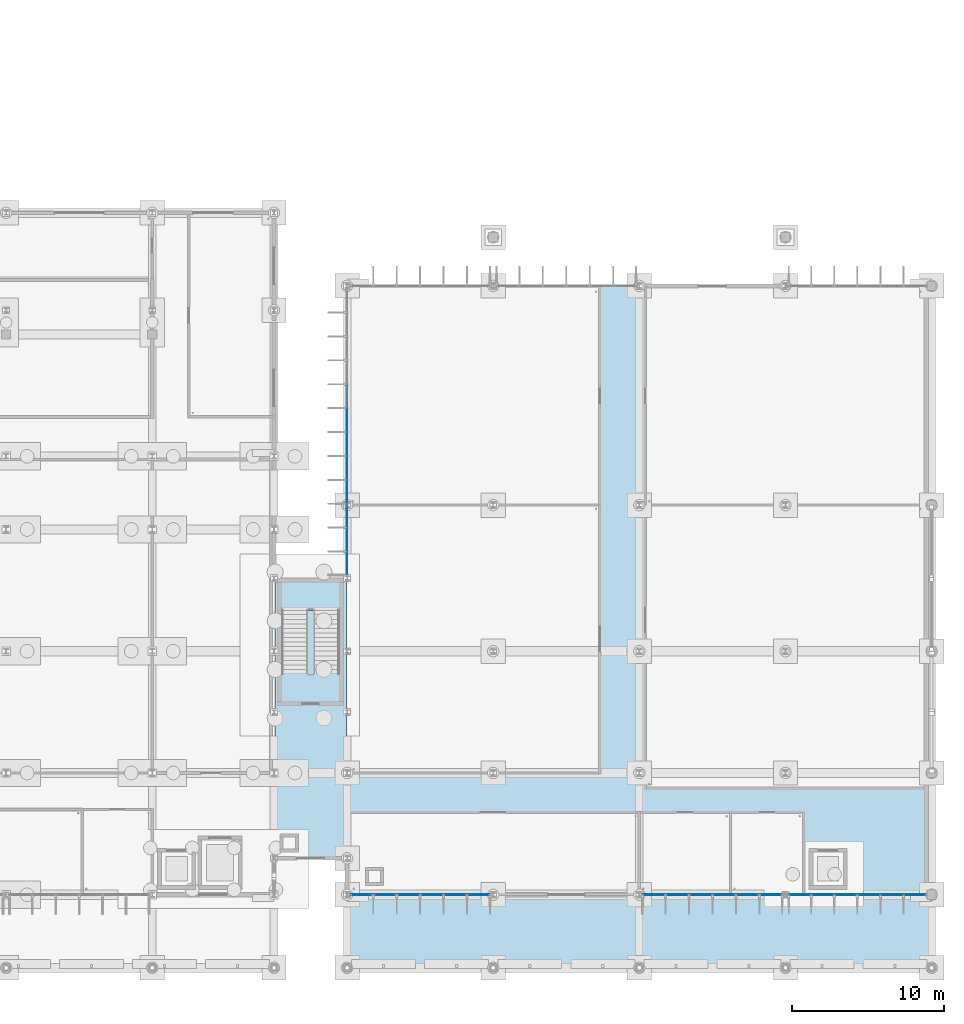
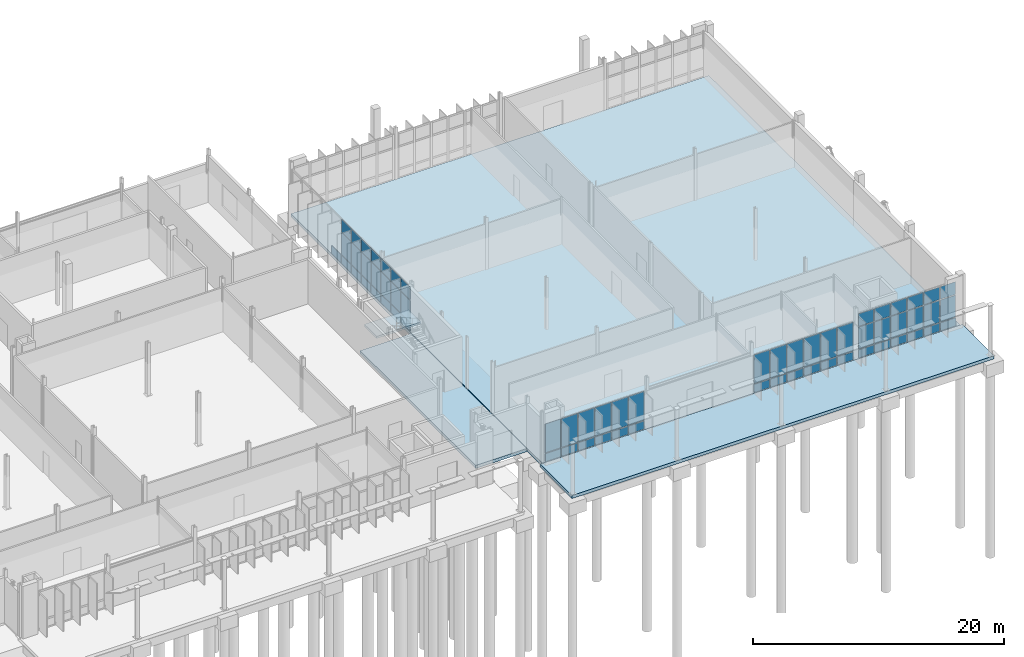
# One storey, part 49 of 111: 64 plates, 4 slabs, 5 elements without a shape of their own.
"""IFC4 building model written with IfcOpenShell, lengths in metres."""

from ifc_helpers import new_model, si_unit, direction, frame, origin, origin_2d, place, context, subcontext, project, spatial, polyline, rectangle, outline, extrude, material, layer, layer_set, type_object, element, aggregate, save


model = new_model("IFC4")

# Units and contexts
model_context = context("Model", 3, precision=1e-05, world=origin(), true_north=direction((0.0, 1.0)))
body_context = subcontext(model_context, "Body", "Model", "MODEL_VIEW")
ifc_project = project(units=[si_unit("LENGTHUNIT", "METRE"), si_unit("AREAUNIT", "SQUARE_METRE"), si_unit("VOLUMEUNIT", "CUBIC_METRE"), si_unit("PLANEANGLEUNIT", "RADIAN"), si_unit("MASSUNIT", "GRAM", prefix="KILO")], contexts=[model_context])

# Site, building, storey
site_placement = place(None, origin())
site = spatial("IfcSite", under=ifc_project, at=site_placement, CompositionType="ELEMENT")
building_placement = place(site_placement, origin())
building = spatial("IfcBuilding", under=site, at=building_placement, Name="Dunescarp Central Library", CompositionType="ELEMENT")
storey_placement = place(building_placement, origin())
storey = spatial("IfcBuildingStorey", under=building, at=storey_placement, Name="L00", CompositionType="ELEMENT", Elevation=0.0)

# Curtain wall, plates
ifc_material_1 = material(Name="Marine-grade anodised aluminium 6063-T6", Category="aluminium")
curtain_wall_type = type_object("IfcCurtainWallType", Name="ARC-CW-STICK", PredefinedType="NOTDEFINED", material=ifc_material_1)
curtain_wall_1_placement = place(storey_placement, origin())
curtain_wall_1 = element("IfcCurtainWall", 1, at=curtain_wall_1_placement, inside=storey, type_object=curtain_wall_type, Name="L00 curtain wall CW-V5-146", PredefinedType="NOTDEFINED")
ifc_material_2 = material(Name="Solar-control laminated double glazing", Category="glass")
ifc_layer_1 = layer(ifc_material_2, 0.028076171875)
ifc_layer_set_1 = layer_set([ifc_layer_1], Name="Solar-control laminated double glazing")
plate_type_1 = type_object("IfcPlateType", Name="ARC-PLT-GLZ28", PredefinedType="CURTAIN_PANEL", material=ifc_layer_set_1)
plate_1_placement = place(storey_placement, frame((138.234130859375, 4.800048828125, 0.93994140625), z_axis=(0.0, 0.0, 1.0), x_axis=(-1.0, 0.0, 0.0)))
plate_1 = element("IfcPlate", 2, at=plate_1_placement, type_object=plate_type_1, Name="CW-V5-146 panel 1.2", PredefinedType="CURTAIN_PANEL", context=body_context, shape_type="SweptSolid", body=[
    extrude(rectangle(XDim=1.421630859375, YDim=0.028076171875, at=origin_2d()), origin(), (0.0, 0.0, 1.0), 2.784912109375),
])
plate_2_placement = place(storey_placement, frame((136.71240234375, 4.800048828125, 0.93994140625), z_axis=(0.0, 0.0, 1.0), x_axis=(-1.0, 0.0, 0.0)))
plate_2 = element("IfcPlate", 3, at=plate_2_placement, type_object=plate_type_1, Name="CW-V5-146 panel 2.2", PredefinedType="CURTAIN_PANEL", context=body_context, shape_type="SweptSolid", body=[
    extrude(rectangle(XDim=1.461669921875, YDim=0.028076171875, at=origin_2d()), origin(), (0.0, 0.0, 1.0), 2.784912109375),
])
plate_3_placement = place(storey_placement, frame((135.1708984375, 4.800048828125, 0.93994140625), z_axis=(0.0, 0.0, 1.0), x_axis=(-1.0, 0.0, 0.0)))
plate_3 = element("IfcPlate", 4, at=plate_3_placement, type_object=plate_type_1, Name="CW-V5-146 panel 3.2", PredefinedType="CURTAIN_PANEL", context=body_context, shape_type="SweptSolid", body=[
    extrude(rectangle(XDim=1.461669921875, YDim=0.028076171875, at=origin_2d()), origin(), (0.0, 0.0, 1.0), 2.784912109375),
])
plate_4_placement = place(storey_placement, frame((133.629150390625, 4.800048828125, 0.93994140625), z_axis=(0.0, 0.0, 1.0), x_axis=(-1.0, 0.0, 0.0)))
plate_4 = element("IfcPlate", 5, at=plate_4_placement, type_object=plate_type_1, Name="CW-V5-146 panel 4.2", PredefinedType="CURTAIN_PANEL", context=body_context, shape_type="SweptSolid", body=[
    extrude(rectangle(XDim=1.461669921875, YDim=0.028076171875, at=origin_2d()), origin(), (0.0, 0.0, 1.0), 2.784912109375),
])
plate_5_placement = place(storey_placement, frame((132.08740234375, 4.800048828125, 0.93994140625), z_axis=(0.0, 0.0, 1.0), x_axis=(-1.0, 0.0, 0.0)))
plate_5 = element("IfcPlate", 6, at=plate_5_placement, type_object=plate_type_1, Name="CW-V5-146 panel 5.2", PredefinedType="CURTAIN_PANEL", context=body_context, shape_type="SweptSolid", body=[
    extrude(rectangle(XDim=1.461669921875, YDim=0.028076171875, at=origin_2d()), origin(), (0.0, 0.0, 1.0), 2.784912109375),
])
plate_6_placement = place(storey_placement, frame((130.56591796875, 4.800048828125, 0.93994140625), z_axis=(0.0, 0.0, 1.0), x_axis=(-1.0, 0.0, 0.0)))
plate_6 = element("IfcPlate", 7, at=plate_6_placement, type_object=plate_type_1, Name="CW-V5-146 panel 6.2", PredefinedType="CURTAIN_PANEL", context=body_context, shape_type="SweptSolid", body=[
    extrude(rectangle(XDim=1.421630859375, YDim=0.028076171875, at=origin_2d()), origin(), (0.0, 0.0, 1.0), 2.784912109375),
])

curtain_wall_2_placement = place(storey_placement, origin())
curtain_wall_2 = element("IfcCurtainWall", 8, at=curtain_wall_2_placement, inside=storey, type_object=curtain_wall_type, Name="L00 curtain wall CW-V5-147", PredefinedType="NOTDEFINED")
plate_7_placement = place(storey_placement, frame((157.43408203125, 4.800048828125, 0.93994140625), z_axis=(0.0, 0.0, 1.0), x_axis=(-1.0, 0.0, 0.0)))
plate_7 = element("IfcPlate", 9, at=plate_7_placement, type_object=plate_type_1, Name="CW-V5-147 panel 1.2", PredefinedType="CURTAIN_PANEL", context=body_context, shape_type="SweptSolid", body=[
    extrude(rectangle(XDim=1.421630859375, YDim=0.028076171875, at=origin_2d()), origin(), (0.0, 0.0, 1.0), 2.784912109375),
])
plate_8_placement = place(storey_placement, frame((155.91259765625, 4.800048828125, 0.93994140625), z_axis=(0.0, 0.0, 1.0), x_axis=(-1.0, 0.0, 0.0)))
plate_8 = element("IfcPlate", 10, at=plate_8_placement, type_object=plate_type_1, Name="CW-V5-147 panel 2.2", PredefinedType="CURTAIN_PANEL", context=body_context, shape_type="SweptSolid", body=[
    extrude(rectangle(XDim=1.461669921875, YDim=0.028076171875, at=origin_2d()), origin(), (0.0, 0.0, 1.0), 2.784912109375),
])
plate_9_placement = place(storey_placement, frame((154.370849609375, 4.800048828125, 0.93994140625), z_axis=(0.0, 0.0, 1.0), x_axis=(-1.0, 0.0, 0.0)))
plate_9 = element("IfcPlate", 11, at=plate_9_placement, type_object=plate_type_1, Name="CW-V5-147 panel 3.2", PredefinedType="CURTAIN_PANEL", context=body_context, shape_type="SweptSolid", body=[
    extrude(rectangle(XDim=1.461669921875, YDim=0.028076171875, at=origin_2d()), origin(), (0.0, 0.0, 1.0), 2.784912109375),
])
plate_10_placement = place(storey_placement, frame((152.8291015625, 4.800048828125, 0.93994140625), z_axis=(0.0, 0.0, 1.0), x_axis=(-1.0, 0.0, 0.0)))
plate_10 = element("IfcPlate", 12, at=plate_10_placement, type_object=plate_type_1, Name="CW-V5-147 panel 4.2", PredefinedType="CURTAIN_PANEL", context=body_context, shape_type="SweptSolid", body=[
    extrude(rectangle(XDim=1.461669921875, YDim=0.028076171875, at=origin_2d()), origin(), (0.0, 0.0, 1.0), 2.784912109375),
])
plate_11_placement = place(storey_placement, frame((151.28759765625, 4.800048828125, 0.93994140625), z_axis=(0.0, 0.0, 1.0), x_axis=(-1.0, 0.0, 0.0)))
plate_11 = element("IfcPlate", 13, at=plate_11_placement, type_object=plate_type_1, Name="CW-V5-147 panel 5.2", PredefinedType="CURTAIN_PANEL", context=body_context, shape_type="SweptSolid", body=[
    extrude(rectangle(XDim=1.461669921875, YDim=0.028076171875, at=origin_2d()), origin(), (0.0, 0.0, 1.0), 2.784912109375),
])
plate_12_placement = place(storey_placement, frame((149.765869140625, 4.800048828125, 0.93994140625), z_axis=(0.0, 0.0, 1.0), x_axis=(-1.0, 0.0, 0.0)))
plate_12 = element("IfcPlate", 14, at=plate_12_placement, type_object=plate_type_1, Name="CW-V5-147 panel 6.2", PredefinedType="CURTAIN_PANEL", context=body_context, shape_type="SweptSolid", body=[
    extrude(rectangle(XDim=1.421630859375, YDim=0.028076171875, at=origin_2d()), origin(), (0.0, 0.0, 1.0), 2.784912109375),
])

curtain_wall_3_placement = place(storey_placement, origin())
curtain_wall_3 = element("IfcCurtainWall", 15, at=curtain_wall_3_placement, inside=storey, type_object=curtain_wall_type, Name="L00 curtain wall CW-V5-148", PredefinedType="NOTDEFINED")
plate_13_placement = place(storey_placement, frame((166.887451171875, 4.800048828125, 0.93994140625), z_axis=(0.0, 0.0, 1.0), x_axis=(-1.0, 0.0, 0.0)))
plate_13 = element("IfcPlate", 16, at=plate_13_placement, type_object=plate_type_1, Name="CW-V5-148 panel 1.2", PredefinedType="CURTAIN_PANEL", context=body_context, shape_type="SweptSolid", body=[
    extrude(rectangle(XDim=1.39501953125, YDim=0.028076171875, at=origin_2d()), origin(), (0.0, 0.0, 1.0), 2.1201171875),
])
plate_14_placement = place(storey_placement, frame((166.887451171875, 4.800048828125, 3.14013671875), z_axis=(0.0, 0.0, 1.0), x_axis=(-1.0, 0.0, 0.0)))
plate_14 = element("IfcPlate", 17, at=plate_14_placement, type_object=plate_type_1, Name="CW-V5-148 panel 1.3", PredefinedType="CURTAIN_PANEL", context=body_context, shape_type="SweptSolid", body=[
    extrude(rectangle(XDim=1.39501953125, YDim=0.028076171875, at=origin_2d()), origin(), (0.0, 0.0, 1.0), 1.221923828125),
])
plate_15_placement = place(storey_placement, frame((165.392578125, 4.800048828125, 0.93994140625), z_axis=(0.0, 0.0, 1.0), x_axis=(-1.0, 0.0, 0.0)))
plate_15 = element("IfcPlate", 18, at=plate_15_placement, type_object=plate_type_1, Name="CW-V5-148 panel 2.2", PredefinedType="CURTAIN_PANEL", context=body_context, shape_type="SweptSolid", body=[
    extrude(rectangle(XDim=1.43505859375, YDim=0.028076171875, at=origin_2d()), origin(), (0.0, 0.0, 1.0), 2.1201171875),
])
plate_16_placement = place(storey_placement, frame((165.392578125, 4.800048828125, 3.14013671875), z_axis=(0.0, 0.0, 1.0), x_axis=(-1.0, 0.0, 0.0)))
plate_16 = element("IfcPlate", 19, at=plate_16_placement, type_object=plate_type_1, Name="CW-V5-148 panel 2.3", PredefinedType="CURTAIN_PANEL", context=body_context, shape_type="SweptSolid", body=[
    extrude(rectangle(XDim=1.43505859375, YDim=0.028076171875, at=origin_2d()), origin(), (0.0, 0.0, 1.0), 1.221923828125),
])
plate_17_placement = place(storey_placement, frame((163.87744140625, 4.800048828125, 0.93994140625), z_axis=(0.0, 0.0, 1.0), x_axis=(-1.0, 0.0, 0.0)))
plate_17 = element("IfcPlate", 20, at=plate_17_placement, type_object=plate_type_1, Name="CW-V5-148 panel 3.2", PredefinedType="CURTAIN_PANEL", context=body_context, shape_type="SweptSolid", body=[
    extrude(rectangle(XDim=1.43505859375, YDim=0.028076171875, at=origin_2d()), origin(), (0.0, 0.0, 1.0), 2.1201171875),
])
plate_18_placement = place(storey_placement, frame((163.87744140625, 4.800048828125, 3.14013671875), z_axis=(0.0, 0.0, 1.0), x_axis=(-1.0, 0.0, 0.0)))
plate_18 = element("IfcPlate", 21, at=plate_18_placement, type_object=plate_type_1, Name="CW-V5-148 panel 3.3", PredefinedType="CURTAIN_PANEL", context=body_context, shape_type="SweptSolid", body=[
    extrude(rectangle(XDim=1.43505859375, YDim=0.028076171875, at=origin_2d()), origin(), (0.0, 0.0, 1.0), 1.221923828125),
])
plate_19_placement = place(storey_placement, frame((162.362548828125, 4.800048828125, 0.93994140625), z_axis=(0.0, 0.0, 1.0), x_axis=(-1.0, 0.0, 0.0)))
plate_19 = element("IfcPlate", 22, at=plate_19_placement, type_object=plate_type_1, Name="CW-V5-148 panel 4.2", PredefinedType="CURTAIN_PANEL", context=body_context, shape_type="SweptSolid", body=[
    extrude(rectangle(XDim=1.43505859375, YDim=0.028076171875, at=origin_2d()), origin(), (0.0, 0.0, 1.0), 2.1201171875),
])
plate_20_placement = place(storey_placement, frame((162.362548828125, 4.800048828125, 3.14013671875), z_axis=(0.0, 0.0, 1.0), x_axis=(-1.0, 0.0, 0.0)))
plate_20 = element("IfcPlate", 23, at=plate_20_placement, type_object=plate_type_1, Name="CW-V5-148 panel 4.3", PredefinedType="CURTAIN_PANEL", context=body_context, shape_type="SweptSolid", body=[
    extrude(rectangle(XDim=1.43505859375, YDim=0.028076171875, at=origin_2d()), origin(), (0.0, 0.0, 1.0), 1.221923828125),
])
plate_21_placement = place(storey_placement, frame((160.847412109375, 4.800048828125, 0.93994140625), z_axis=(0.0, 0.0, 1.0), x_axis=(-1.0, 0.0, 0.0)))
plate_21 = element("IfcPlate", 24, at=plate_21_placement, type_object=plate_type_1, Name="CW-V5-148 panel 5.2", PredefinedType="CURTAIN_PANEL", context=body_context, shape_type="SweptSolid", body=[
    extrude(rectangle(XDim=1.43505859375, YDim=0.028076171875, at=origin_2d()), origin(), (0.0, 0.0, 1.0), 2.1201171875),
])
plate_22_placement = place(storey_placement, frame((160.847412109375, 4.800048828125, 3.14013671875), z_axis=(0.0, 0.0, 1.0), x_axis=(-1.0, 0.0, 0.0)))
plate_22 = element("IfcPlate", 25, at=plate_22_placement, type_object=plate_type_1, Name="CW-V5-148 panel 5.3", PredefinedType="CURTAIN_PANEL", context=body_context, shape_type="SweptSolid", body=[
    extrude(rectangle(XDim=1.43505859375, YDim=0.028076171875, at=origin_2d()), origin(), (0.0, 0.0, 1.0), 1.221923828125),
])
plate_23_placement = place(storey_placement, frame((159.3525390625, 4.800048828125, 0.93994140625), z_axis=(0.0, 0.0, 1.0), x_axis=(-1.0, 0.0, 0.0)))
plate_23 = element("IfcPlate", 26, at=plate_23_placement, type_object=plate_type_1, Name="CW-V5-148 panel 6.2", PredefinedType="CURTAIN_PANEL", context=body_context, shape_type="SweptSolid", body=[
    extrude(rectangle(XDim=1.39501953125, YDim=0.028076171875, at=origin_2d()), origin(), (0.0, 0.0, 1.0), 2.1201171875),
])
plate_24_placement = place(storey_placement, frame((159.3525390625, 4.800048828125, 3.14013671875), z_axis=(0.0, 0.0, 1.0), x_axis=(-1.0, 0.0, 0.0)))
plate_24 = element("IfcPlate", 27, at=plate_24_placement, type_object=plate_type_1, Name="CW-V5-148 panel 6.3", PredefinedType="CURTAIN_PANEL", context=body_context, shape_type="SweptSolid", body=[
    extrude(rectangle(XDim=1.39501953125, YDim=0.028076171875, at=origin_2d()), origin(), (0.0, 0.0, 1.0), 1.221923828125),
])

curtain_wall_4_placement = place(storey_placement, origin())
curtain_wall_4 = element("IfcCurtainWall", 28, at=curtain_wall_4_placement, inside=storey, type_object=curtain_wall_type, Name="L00 curtain wall CW-V5-152", PredefinedType="NOTDEFINED")
plate_25_placement = place(storey_placement, frame((129.60009765625, 26.580322265625, 0.93994140625), z_axis=(0.0, 0.0, 1.0), x_axis=(0.0, 1.0, 0.0)))
plate_25 = element("IfcPlate", 29, at=plate_25_placement, type_object=plate_type_1, Name="CW-V5-152 panel 1.2", PredefinedType="CURTAIN_PANEL", context=body_context, shape_type="SweptSolid", body=[
    extrude(rectangle(XDim=1.450927734375, YDim=0.028076171875, at=origin_2d()), origin(), (0.0, 0.0, 1.0), 2.1201171875),
])
plate_26_placement = place(storey_placement, frame((129.60009765625, 26.580322265625, 3.14013671875), z_axis=(0.0, 0.0, 1.0), x_axis=(0.0, 1.0, 0.0)))
plate_26 = element("IfcPlate", 30, at=plate_26_placement, type_object=plate_type_1, Name="CW-V5-152 panel 1.3", PredefinedType="CURTAIN_PANEL", context=body_context, shape_type="SweptSolid", body=[
    extrude(rectangle(XDim=1.450927734375, YDim=0.028076171875, at=origin_2d()), origin(), (0.0, 0.0, 1.0), 1.221923828125),
])
plate_27_placement = place(storey_placement, frame((129.60009765625, 28.13134765625, 0.93994140625), z_axis=(0.0, 0.0, 1.0), x_axis=(0.0, 1.0, 0.0)))
plate_27 = element("IfcPlate", 31, at=plate_27_placement, type_object=plate_type_1, Name="CW-V5-152 panel 2.2", PredefinedType="CURTAIN_PANEL", context=body_context, shape_type="SweptSolid", body=[
    extrude(rectangle(XDim=1.49072265625, YDim=0.028076171875, at=origin_2d()), origin(), (0.0, 0.0, 1.0), 2.1201171875),
])
plate_28_placement = place(storey_placement, frame((129.60009765625, 28.13134765625, 3.14013671875), z_axis=(0.0, 0.0, 1.0), x_axis=(0.0, 1.0, 0.0)))
plate_28 = element("IfcPlate", 32, at=plate_28_placement, type_object=plate_type_1, Name="CW-V5-152 panel 2.3", PredefinedType="CURTAIN_PANEL", context=body_context, shape_type="SweptSolid", body=[
    extrude(rectangle(XDim=1.49072265625, YDim=0.028076171875, at=origin_2d()), origin(), (0.0, 0.0, 1.0), 1.221923828125),
])
plate_29_placement = place(storey_placement, frame((129.60009765625, 29.7021484375, 0.93994140625), z_axis=(0.0, 0.0, 1.0), x_axis=(0.0, 1.0, 0.0)))
plate_29 = element("IfcPlate", 33, at=plate_29_placement, type_object=plate_type_1, Name="CW-V5-152 panel 3.2", PredefinedType="CURTAIN_PANEL", context=body_context, shape_type="SweptSolid", body=[
    extrude(rectangle(XDim=1.49072265625, YDim=0.028076171875, at=origin_2d()), origin(), (0.0, 0.0, 1.0), 2.1201171875),
])
plate_30_placement = place(storey_placement, frame((129.60009765625, 29.7021484375, 3.14013671875), z_axis=(0.0, 0.0, 1.0), x_axis=(0.0, 1.0, 0.0)))
plate_30 = element("IfcPlate", 34, at=plate_30_placement, type_object=plate_type_1, Name="CW-V5-152 panel 3.3", PredefinedType="CURTAIN_PANEL", context=body_context, shape_type="SweptSolid", body=[
    extrude(rectangle(XDim=1.49072265625, YDim=0.028076171875, at=origin_2d()), origin(), (0.0, 0.0, 1.0), 1.221923828125),
])
plate_31_placement = place(storey_placement, frame((129.60009765625, 31.27294921875, 0.93994140625), z_axis=(0.0, 0.0, 1.0), x_axis=(0.0, 1.0, 0.0)))
plate_31 = element("IfcPlate", 35, at=plate_31_placement, type_object=plate_type_1, Name="CW-V5-152 panel 4.2", PredefinedType="CURTAIN_PANEL", context=body_context, shape_type="SweptSolid", body=[
    extrude(rectangle(XDim=1.49072265625, YDim=0.028076171875, at=origin_2d()), origin(), (0.0, 0.0, 1.0), 2.1201171875),
])
plate_32_placement = place(storey_placement, frame((129.60009765625, 31.27294921875, 3.14013671875), z_axis=(0.0, 0.0, 1.0), x_axis=(0.0, 1.0, 0.0)))
plate_32 = element("IfcPlate", 36, at=plate_32_placement, type_object=plate_type_1, Name="CW-V5-152 panel 4.3", PredefinedType="CURTAIN_PANEL", context=body_context, shape_type="SweptSolid", body=[
    extrude(rectangle(XDim=1.49072265625, YDim=0.028076171875, at=origin_2d()), origin(), (0.0, 0.0, 1.0), 1.221923828125),
])
plate_33_placement = place(storey_placement, frame((129.60009765625, 32.84375, 0.93994140625), z_axis=(0.0, 0.0, 1.0), x_axis=(0.0, 1.0, 0.0)))
plate_33 = element("IfcPlate", 37, at=plate_33_placement, type_object=plate_type_1, Name="CW-V5-152 panel 5.2", PredefinedType="CURTAIN_PANEL", context=body_context, shape_type="SweptSolid", body=[
    extrude(rectangle(XDim=1.49072265625, YDim=0.028076171875, at=origin_2d()), origin(), (0.0, 0.0, 1.0), 2.1201171875),
])
plate_34_placement = place(storey_placement, frame((129.60009765625, 32.84375, 3.14013671875), z_axis=(0.0, 0.0, 1.0), x_axis=(0.0, 1.0, 0.0)))
plate_34 = element("IfcPlate", 38, at=plate_34_placement, type_object=plate_type_1, Name="CW-V5-152 panel 5.3", PredefinedType="CURTAIN_PANEL", context=body_context, shape_type="SweptSolid", body=[
    extrude(rectangle(XDim=1.49072265625, YDim=0.028076171875, at=origin_2d()), origin(), (0.0, 0.0, 1.0), 1.221923828125),
])
plate_35_placement = place(storey_placement, frame((129.60009765625, 34.41455078125, 0.93994140625), z_axis=(0.0, 0.0, 1.0), x_axis=(0.0, 1.0, 0.0)))
plate_35 = element("IfcPlate", 39, at=plate_35_placement, type_object=plate_type_1, Name="CW-V5-152 panel 6.2", PredefinedType="CURTAIN_PANEL", context=body_context, shape_type="SweptSolid", body=[
    extrude(rectangle(XDim=1.49072265625, YDim=0.028076171875, at=origin_2d()), origin(), (0.0, 0.0, 1.0), 2.1201171875),
])
plate_36_placement = place(storey_placement, frame((129.60009765625, 34.41455078125, 3.14013671875), z_axis=(0.0, 0.0, 1.0), x_axis=(0.0, 1.0, 0.0)))
plate_36 = element("IfcPlate", 40, at=plate_36_placement, type_object=plate_type_1, Name="CW-V5-152 panel 6.3", PredefinedType="CURTAIN_PANEL", context=body_context, shape_type="SweptSolid", body=[
    extrude(rectangle(XDim=1.49072265625, YDim=0.028076171875, at=origin_2d()), origin(), (0.0, 0.0, 1.0), 1.221923828125),
])
plate_37_placement = place(storey_placement, frame((129.60009765625, 35.9853515625, 0.93994140625), z_axis=(0.0, 0.0, 1.0), x_axis=(0.0, 1.0, 0.0)))
plate_37 = element("IfcPlate", 41, at=plate_37_placement, type_object=plate_type_1, Name="CW-V5-152 panel 7.2", PredefinedType="CURTAIN_PANEL", context=body_context, shape_type="SweptSolid", body=[
    extrude(rectangle(XDim=1.49072265625, YDim=0.028076171875, at=origin_2d()), origin(), (0.0, 0.0, 1.0), 2.1201171875),
])
plate_38_placement = place(storey_placement, frame((129.60009765625, 35.9853515625, 3.14013671875), z_axis=(0.0, 0.0, 1.0), x_axis=(0.0, 1.0, 0.0)))
plate_38 = element("IfcPlate", 42, at=plate_38_placement, type_object=plate_type_1, Name="CW-V5-152 panel 7.3", PredefinedType="CURTAIN_PANEL", context=body_context, shape_type="SweptSolid", body=[
    extrude(rectangle(XDim=1.49072265625, YDim=0.028076171875, at=origin_2d()), origin(), (0.0, 0.0, 1.0), 1.221923828125),
])

# Plate
ifc_layer_2 = layer(ifc_material_1, 0.050048828125)
ifc_layer_set_2 = layer_set([ifc_layer_2], Name="Marine-grade anodised aluminium 6063-T6")
plate_type_2 = type_object("IfcPlateType", Name="ARC-PLT-SPN50", PredefinedType="SHEET", material=ifc_layer_set_2)
plate_39_placement = place(storey_placement, frame((138.234130859375, 4.800048828125, 0.080078125), z_axis=(0.0, 0.0, 1.0), x_axis=(-1.0, 0.0, 0.0)))
plate_39 = element("IfcPlate", 43, at=plate_39_placement, type_object=plate_type_2, Name="CW-V5-146 panel 1.1", PredefinedType="SHEET", context=body_context, shape_type="SweptSolid", body=[
    extrude(rectangle(XDim=1.421630859375, YDim=0.050048828125, at=origin_2d()), origin(), (0.0, 0.0, 1.0), 0.780029296875),
])

plate_40_placement = place(storey_placement, frame((136.71240234375, 4.800048828125, 0.080078125), z_axis=(0.0, 0.0, 1.0), x_axis=(-1.0, 0.0, 0.0)))
plate_40 = element("IfcPlate", 44, at=plate_40_placement, type_object=plate_type_2, Name="CW-V5-146 panel 2.1", PredefinedType="SHEET", context=body_context, shape_type="SweptSolid", body=[
    extrude(rectangle(XDim=1.461669921875, YDim=0.050048828125, at=origin_2d()), origin(), (0.0, 0.0, 1.0), 0.780029296875),
])

plate_41_placement = place(storey_placement, frame((135.1708984375, 4.800048828125, 0.080078125), z_axis=(0.0, 0.0, 1.0), x_axis=(-1.0, 0.0, 0.0)))
plate_41 = element("IfcPlate", 45, at=plate_41_placement, type_object=plate_type_2, Name="CW-V5-146 panel 3.1", PredefinedType="SHEET", context=body_context, shape_type="SweptSolid", body=[
    extrude(rectangle(XDim=1.461669921875, YDim=0.050048828125, at=origin_2d()), origin(), (0.0, 0.0, 1.0), 0.780029296875),
])

plate_42_placement = place(storey_placement, frame((133.629150390625, 4.800048828125, 0.080078125), z_axis=(0.0, 0.0, 1.0), x_axis=(-1.0, 0.0, 0.0)))
plate_42 = element("IfcPlate", 46, at=plate_42_placement, type_object=plate_type_2, Name="CW-V5-146 panel 4.1", PredefinedType="SHEET", context=body_context, shape_type="SweptSolid", body=[
    extrude(rectangle(XDim=1.461669921875, YDim=0.050048828125, at=origin_2d()), origin(), (0.0, 0.0, 1.0), 0.780029296875),
])

plate_43_placement = place(storey_placement, frame((132.08740234375, 4.800048828125, 0.080078125), z_axis=(0.0, 0.0, 1.0), x_axis=(-1.0, 0.0, 0.0)))
plate_43 = element("IfcPlate", 47, at=plate_43_placement, type_object=plate_type_2, Name="CW-V5-146 panel 5.1", PredefinedType="SHEET", context=body_context, shape_type="SweptSolid", body=[
    extrude(rectangle(XDim=1.461669921875, YDim=0.050048828125, at=origin_2d()), origin(), (0.0, 0.0, 1.0), 0.780029296875),
])

plate_44_placement = place(storey_placement, frame((130.56591796875, 4.800048828125, 0.080078125), z_axis=(0.0, 0.0, 1.0), x_axis=(-1.0, 0.0, 0.0)))
plate_44 = element("IfcPlate", 48, at=plate_44_placement, type_object=plate_type_2, Name="CW-V5-146 panel 6.1", PredefinedType="SHEET", context=body_context, shape_type="SweptSolid", body=[
    extrude(rectangle(XDim=1.421630859375, YDim=0.050048828125, at=origin_2d()), origin(), (0.0, 0.0, 1.0), 0.780029296875),
])

aggregate(curtain_wall_1, [plate_39, plate_1, plate_40, plate_2, plate_41, plate_3, plate_42, plate_4, plate_43, plate_5, plate_44, plate_6])

plate_45_placement = place(storey_placement, frame((157.43408203125, 4.800048828125, 0.080078125), z_axis=(0.0, 0.0, 1.0), x_axis=(-1.0, 0.0, 0.0)))
plate_45 = element("IfcPlate", 49, at=plate_45_placement, type_object=plate_type_2, Name="CW-V5-147 panel 1.1", PredefinedType="SHEET", context=body_context, shape_type="SweptSolid", body=[
    extrude(rectangle(XDim=1.421630859375, YDim=0.050048828125, at=origin_2d()), origin(), (0.0, 0.0, 1.0), 0.780029296875),
])

plate_46_placement = place(storey_placement, frame((155.91259765625, 4.800048828125, 0.080078125), z_axis=(0.0, 0.0, 1.0), x_axis=(-1.0, 0.0, 0.0)))
plate_46 = element("IfcPlate", 50, at=plate_46_placement, type_object=plate_type_2, Name="CW-V5-147 panel 2.1", PredefinedType="SHEET", context=body_context, shape_type="SweptSolid", body=[
    extrude(rectangle(XDim=1.461669921875, YDim=0.050048828125, at=origin_2d()), origin(), (0.0, 0.0, 1.0), 0.780029296875),
])

plate_47_placement = place(storey_placement, frame((154.370849609375, 4.800048828125, 0.080078125), z_axis=(0.0, 0.0, 1.0), x_axis=(-1.0, 0.0, 0.0)))
plate_47 = element("IfcPlate", 51, at=plate_47_placement, type_object=plate_type_2, Name="CW-V5-147 panel 3.1", PredefinedType="SHEET", context=body_context, shape_type="SweptSolid", body=[
    extrude(rectangle(XDim=1.461669921875, YDim=0.050048828125, at=origin_2d()), origin(), (0.0, 0.0, 1.0), 0.780029296875),
])

plate_48_placement = place(storey_placement, frame((152.8291015625, 4.800048828125, 0.080078125), z_axis=(0.0, 0.0, 1.0), x_axis=(-1.0, 0.0, 0.0)))
plate_48 = element("IfcPlate", 52, at=plate_48_placement, type_object=plate_type_2, Name="CW-V5-147 panel 4.1", PredefinedType="SHEET", context=body_context, shape_type="SweptSolid", body=[
    extrude(rectangle(XDim=1.461669921875, YDim=0.050048828125, at=origin_2d()), origin(), (0.0, 0.0, 1.0), 0.780029296875),
])

plate_49_placement = place(storey_placement, frame((151.28759765625, 4.800048828125, 0.080078125), z_axis=(0.0, 0.0, 1.0), x_axis=(-1.0, 0.0, 0.0)))
plate_49 = element("IfcPlate", 53, at=plate_49_placement, type_object=plate_type_2, Name="CW-V5-147 panel 5.1", PredefinedType="SHEET", context=body_context, shape_type="SweptSolid", body=[
    extrude(rectangle(XDim=1.461669921875, YDim=0.050048828125, at=origin_2d()), origin(), (0.0, 0.0, 1.0), 0.780029296875),
])

plate_50_placement = place(storey_placement, frame((149.765869140625, 4.800048828125, 0.080078125), z_axis=(0.0, 0.0, 1.0), x_axis=(-1.0, 0.0, 0.0)))
plate_50 = element("IfcPlate", 54, at=plate_50_placement, type_object=plate_type_2, Name="CW-V5-147 panel 6.1", PredefinedType="SHEET", context=body_context, shape_type="SweptSolid", body=[
    extrude(rectangle(XDim=1.421630859375, YDim=0.050048828125, at=origin_2d()), origin(), (0.0, 0.0, 1.0), 0.780029296875),
])

aggregate(curtain_wall_2, [plate_45, plate_7, plate_46, plate_8, plate_47, plate_9, plate_48, plate_10, plate_49, plate_11, plate_50, plate_12])

plate_51_placement = place(storey_placement, frame((166.887451171875, 4.800048828125, 0.080078125), z_axis=(0.0, 0.0, 1.0), x_axis=(-1.0, 0.0, 0.0)))
plate_51 = element("IfcPlate", 55, at=plate_51_placement, type_object=plate_type_2, Name="CW-V5-148 panel 1.1", PredefinedType="SHEET", context=body_context, shape_type="SweptSolid", body=[
    extrude(rectangle(XDim=1.39501953125, YDim=0.050048828125, at=origin_2d()), origin(), (0.0, 0.0, 1.0), 0.780029296875),
])

plate_52_placement = place(storey_placement, frame((165.392578125, 4.800048828125, 0.080078125), z_axis=(0.0, 0.0, 1.0), x_axis=(-1.0, 0.0, 0.0)))
plate_52 = element("IfcPlate", 56, at=plate_52_placement, type_object=plate_type_2, Name="CW-V5-148 panel 2.1", PredefinedType="SHEET", context=body_context, shape_type="SweptSolid", body=[
    extrude(rectangle(XDim=1.43505859375, YDim=0.050048828125, at=origin_2d()), origin(), (0.0, 0.0, 1.0), 0.780029296875),
])

plate_53_placement = place(storey_placement, frame((163.87744140625, 4.800048828125, 0.080078125), z_axis=(0.0, 0.0, 1.0), x_axis=(-1.0, 0.0, 0.0)))
plate_53 = element("IfcPlate", 57, at=plate_53_placement, type_object=plate_type_2, Name="CW-V5-148 panel 3.1", PredefinedType="SHEET", context=body_context, shape_type="SweptSolid", body=[
    extrude(rectangle(XDim=1.43505859375, YDim=0.050048828125, at=origin_2d()), origin(), (0.0, 0.0, 1.0), 0.780029296875),
])

plate_54_placement = place(storey_placement, frame((162.362548828125, 4.800048828125, 0.080078125), z_axis=(0.0, 0.0, 1.0), x_axis=(-1.0, 0.0, 0.0)))
plate_54 = element("IfcPlate", 58, at=plate_54_placement, type_object=plate_type_2, Name="CW-V5-148 panel 4.1", PredefinedType="SHEET", context=body_context, shape_type="SweptSolid", body=[
    extrude(rectangle(XDim=1.43505859375, YDim=0.050048828125, at=origin_2d()), origin(), (0.0, 0.0, 1.0), 0.780029296875),
])

plate_55_placement = place(storey_placement, frame((160.847412109375, 4.800048828125, 0.080078125), z_axis=(0.0, 0.0, 1.0), x_axis=(-1.0, 0.0, 0.0)))
plate_55 = element("IfcPlate", 59, at=plate_55_placement, type_object=plate_type_2, Name="CW-V5-148 panel 5.1", PredefinedType="SHEET", context=body_context, shape_type="SweptSolid", body=[
    extrude(rectangle(XDim=1.43505859375, YDim=0.050048828125, at=origin_2d()), origin(), (0.0, 0.0, 1.0), 0.780029296875),
])

plate_56_placement = place(storey_placement, frame((159.3525390625, 4.800048828125, 0.080078125), z_axis=(0.0, 0.0, 1.0), x_axis=(-1.0, 0.0, 0.0)))
plate_56 = element("IfcPlate", 60, at=plate_56_placement, type_object=plate_type_2, Name="CW-V5-148 panel 6.1", PredefinedType="SHEET", context=body_context, shape_type="SweptSolid", body=[
    extrude(rectangle(XDim=1.39501953125, YDim=0.050048828125, at=origin_2d()), origin(), (0.0, 0.0, 1.0), 0.780029296875),
])

aggregate(curtain_wall_3, [plate_51, plate_13, plate_14, plate_52, plate_15, plate_16, plate_53, plate_17, plate_18, plate_54, plate_19, plate_20, plate_55, plate_21, plate_22, plate_56, plate_23, plate_24])

plate_57_placement = place(storey_placement, frame((129.60009765625, 26.580322265625, 0.080078125), z_axis=(0.0, 0.0, 1.0), x_axis=(0.0, 1.0, 0.0)))
plate_57 = element("IfcPlate", 61, at=plate_57_placement, type_object=plate_type_2, Name="CW-V5-152 panel 1.1", PredefinedType="SHEET", context=body_context, shape_type="SweptSolid", body=[
    extrude(rectangle(XDim=1.450927734375, YDim=0.050048828125, at=origin_2d()), origin(), (0.0, 0.0, 1.0), 0.780029296875),
])

plate_58_placement = place(storey_placement, frame((129.60009765625, 28.13134765625, 0.080078125), z_axis=(0.0, 0.0, 1.0), x_axis=(0.0, 1.0, 0.0)))
plate_58 = element("IfcPlate", 62, at=plate_58_placement, type_object=plate_type_2, Name="CW-V5-152 panel 2.1", PredefinedType="SHEET", context=body_context, shape_type="SweptSolid", body=[
    extrude(rectangle(XDim=1.49072265625, YDim=0.050048828125, at=origin_2d()), origin(), (0.0, 0.0, 1.0), 0.780029296875),
])

plate_59_placement = place(storey_placement, frame((129.60009765625, 29.7021484375, 0.080078125), z_axis=(0.0, 0.0, 1.0), x_axis=(0.0, 1.0, 0.0)))
plate_59 = element("IfcPlate", 63, at=plate_59_placement, type_object=plate_type_2, Name="CW-V5-152 panel 3.1", PredefinedType="SHEET", context=body_context, shape_type="SweptSolid", body=[
    extrude(rectangle(XDim=1.49072265625, YDim=0.050048828125, at=origin_2d()), origin(), (0.0, 0.0, 1.0), 0.780029296875),
])

plate_60_placement = place(storey_placement, frame((129.60009765625, 31.27294921875, 0.080078125), z_axis=(0.0, 0.0, 1.0), x_axis=(0.0, 1.0, 0.0)))
plate_60 = element("IfcPlate", 64, at=plate_60_placement, type_object=plate_type_2, Name="CW-V5-152 panel 4.1", PredefinedType="SHEET", context=body_context, shape_type="SweptSolid", body=[
    extrude(rectangle(XDim=1.49072265625, YDim=0.050048828125, at=origin_2d()), origin(), (0.0, 0.0, 1.0), 0.780029296875),
])

plate_61_placement = place(storey_placement, frame((129.60009765625, 32.84375, 0.080078125), z_axis=(0.0, 0.0, 1.0), x_axis=(0.0, 1.0, 0.0)))
plate_61 = element("IfcPlate", 65, at=plate_61_placement, type_object=plate_type_2, Name="CW-V5-152 panel 5.1", PredefinedType="SHEET", context=body_context, shape_type="SweptSolid", body=[
    extrude(rectangle(XDim=1.49072265625, YDim=0.050048828125, at=origin_2d()), origin(), (0.0, 0.0, 1.0), 0.780029296875),
])

plate_62_placement = place(storey_placement, frame((129.60009765625, 34.41455078125, 0.080078125), z_axis=(0.0, 0.0, 1.0), x_axis=(0.0, 1.0, 0.0)))
plate_62 = element("IfcPlate", 66, at=plate_62_placement, type_object=plate_type_2, Name="CW-V5-152 panel 6.1", PredefinedType="SHEET", context=body_context, shape_type="SweptSolid", body=[
    extrude(rectangle(XDim=1.49072265625, YDim=0.050048828125, at=origin_2d()), origin(), (0.0, 0.0, 1.0), 0.780029296875),
])

plate_63_placement = place(storey_placement, frame((129.60009765625, 35.9853515625, 0.080078125), z_axis=(0.0, 0.0, 1.0), x_axis=(0.0, 1.0, 0.0)))
plate_63 = element("IfcPlate", 67, at=plate_63_placement, type_object=plate_type_2, Name="CW-V5-152 panel 7.1", PredefinedType="SHEET", context=body_context, shape_type="SweptSolid", body=[
    extrude(rectangle(XDim=1.49072265625, YDim=0.050048828125, at=origin_2d()), origin(), (0.0, 0.0, 1.0), 0.780029296875),
])

plate_64_placement = place(storey_placement, frame((129.60009765625, 37.55615234375, 0.080078125), z_axis=(0.0, 0.0, 1.0), x_axis=(0.0, 1.0, 0.0)))
plate_64 = element("IfcPlate", 68, at=plate_64_placement, type_object=plate_type_2, Name="CW-V5-152 panel 8.1", PredefinedType="SHEET", context=body_context, shape_type="SweptSolid", body=[
    extrude(rectangle(XDim=1.49072265625, YDim=0.050048828125, at=origin_2d()), origin(), (0.0, 0.0, 1.0), 0.780029296875),
])

aggregate(curtain_wall_4, [plate_57, plate_25, plate_26, plate_58, plate_27, plate_28, plate_59, plate_29, plate_30, plate_60, plate_31, plate_32, plate_61, plate_33, plate_34, plate_62, plate_35, plate_36, plate_63, plate_37, plate_38, plate_64])

# Slabs
ifc_material_3 = material(Name="Concrete C35/45", Category="concrete")
ifc_layer_3 = layer(ifc_material_3, 0.300048828125)
ifc_layer_set_3 = layer_set([ifc_layer_3], Name="Concrete C35/45")
slab_type_1 = type_object("IfcSlabType", Name="STR-SLB-BASE300", PredefinedType="BASESLAB", material=ifc_layer_set_3)
slab_1_placement = place(storey_placement, frame((0.0, 0.0, -0.300048828125)))
element("IfcSlab", 69, at=slab_1_placement, inside=storey, type_object=slab_type_1, Name="L00 V5 slab", PredefinedType="BASESLAB", context=body_context, shape_type="SweptSolid", body=[
    extrude(outline(polyline([(129.60009765625, 4.800048828125), (168.0, 4.800048828125), (168.0, 44.800048828125), (129.60009765625, 44.800048828125), (129.60009765625, 4.800048828125)])), origin(), (0.0, 0.0, 1.0), 0.300048828125),
])
slab_2_placement = place(storey_placement, frame((0.0, 0.0, -0.300048828125)))
element("IfcSlab", 70, at=slab_2_placement, inside=storey, type_object=slab_type_1, Name="L00 GL3 slab", PredefinedType="BASESLAB", context=body_context, shape_type="SweptSolid", body=[
    extrude(outline(polyline([(124.85009765625, 7.199951171875), (129.550048828125, 7.199951171875), (129.550048828125, 25.60009765625), (124.85009765625, 25.60009765625), (124.85009765625, 7.199951171875)])), origin(), (0.0, 0.0, 1.0), 0.300048828125),
])
slab_3_placement = place(storey_placement, frame((0.0, 0.0, -0.300048828125)))
element("IfcSlab", 71, at=slab_3_placement, inside=storey, type_object=slab_type_1, Name="South street colonnade paving slab COL-S4", PredefinedType="BASESLAB", context=body_context, shape_type="SweptSolid", body=[
    extrude(outline(polyline([(129.39990234375, -0.25), (168.199951171875, -0.25), (168.199951171875, 4.800048828125), (129.39990234375, 4.800048828125), (129.39990234375, -0.25)])), origin(), (0.0, 0.0, 1.0), 0.300048828125),
])

# Stair, slab
stair_type = type_object("IfcStairType", Name="ARC-STR-L00", PredefinedType="HALF_TURN_STAIR", material=ifc_material_3)
stair_placement = place(storey_placement, origin())
stair = element("IfcStair", 72, at=stair_placement, inside=storey, type_object=stair_type, Name="L00 Protected escape stair ST-5", PredefinedType="HALF_TURN_STAIR")
ifc_layer_4 = layer(ifc_material_3, 0.199951171875)
ifc_layer_set_4 = layer_set([ifc_layer_4], Name="Concrete C35/45")
slab_type_2 = type_object("IfcSlabType", Name="STR-SLB-LAND200", PredefinedType="LANDING", material=ifc_layer_set_4)
slab_4_placement = place(storey_placement, frame((0.0, 0.0, 2.35009765625)))
slab_4 = element("IfcSlab", 73, at=slab_4_placement, type_object=slab_type_2, Name="ST-5 landing 1", PredefinedType="LANDING", context=body_context, shape_type="SweptSolid", body=[
    extrude(outline(polyline([(125.14990234375, 23.485107421875), (129.25, 23.485107421875), (129.25, 25.449951171875), (125.14990234375, 25.449951171875), (125.14990234375, 23.485107421875)])), origin(), (0.0, 0.0, 1.0), 0.199951171875),
])
aggregate(stair, [slab_4])

save(model, "model.ifc")
